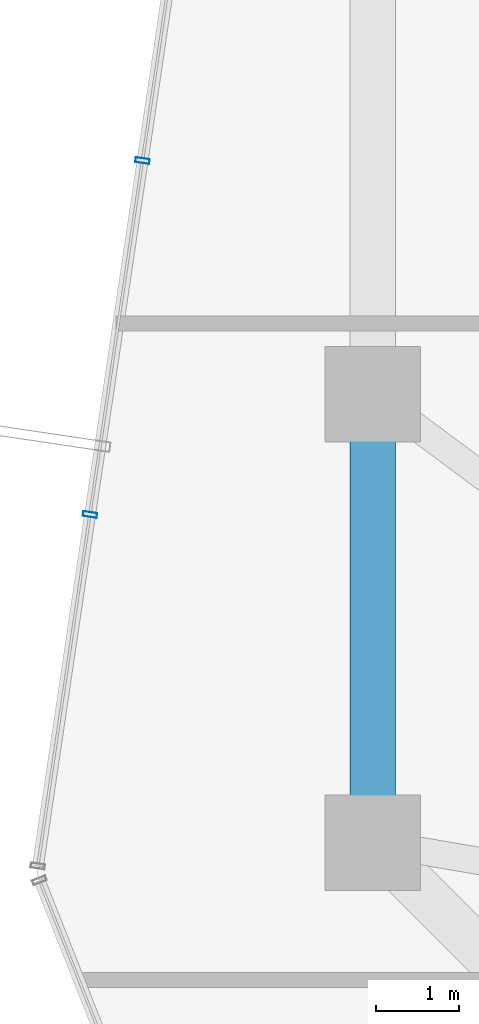
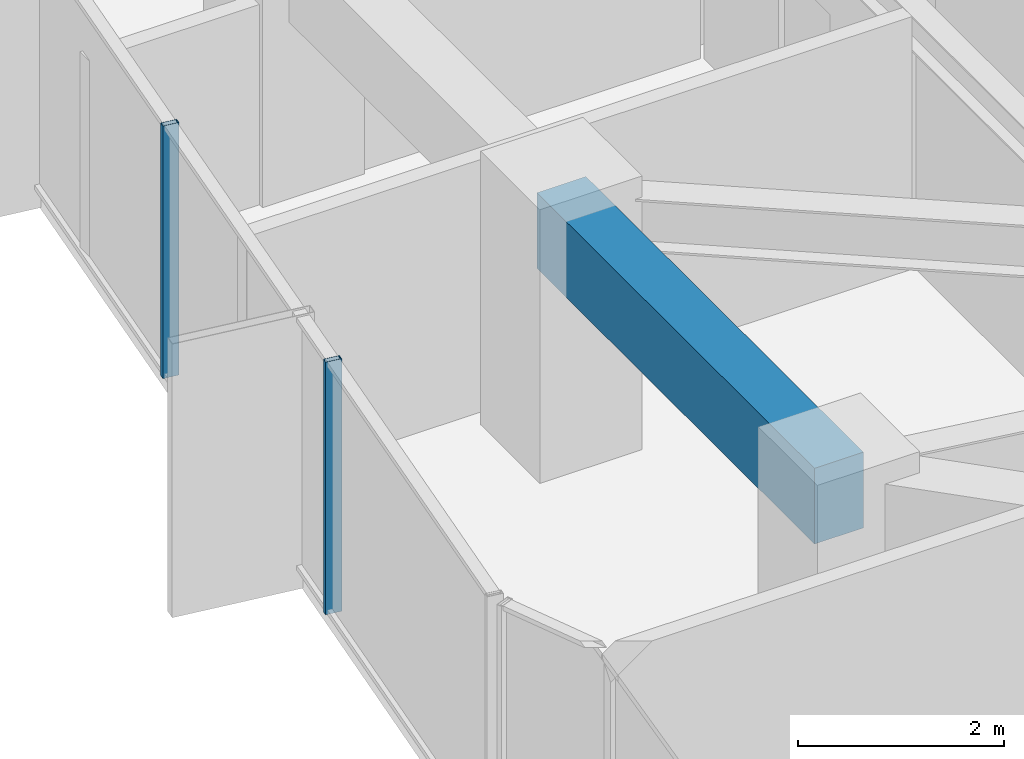
# One storey, part 10 of 29: 2 members, 1 beam, 1 element without a shape of its own.
"""IFC4 building model written with IfcOpenShell, lengths in metres."""

from ifc_helpers import new_model, si_unit, direction, frame, origin, origin_2d, place, context, subcontext, project, spatial, rectangle, hollow_rectangle, extrude, source, transform, mapped, material, layer, layer_set, material_profile, profile_set, type_object, element, aggregate, save


model = new_model("IFC4")

# Units and contexts
model_context = context("Model", 3, precision=1e-05, world=origin(), true_north=direction((0.0, 1.0)))
body_context = subcontext(model_context, "Body", "Model", "MODEL_VIEW")
ifc_project = project(units=[si_unit("LENGTHUNIT", "METRE"), si_unit("AREAUNIT", "SQUARE_METRE"), si_unit("VOLUMEUNIT", "CUBIC_METRE"), si_unit("PLANEANGLEUNIT", "RADIAN"), si_unit("MASSUNIT", "GRAM", prefix="KILO")], contexts=[model_context])

# Site, building, storey
site_placement = place(None, origin())
site = spatial("IfcSite", under=ifc_project, at=site_placement, CompositionType="ELEMENT")
building_placement = place(site_placement, origin())
building = spatial("IfcBuilding", under=site, at=building_placement, Name="Veraguas Prism Commons", CompositionType="ELEMENT")
storey_placement = place(building_placement, frame((0.0, 0.0, 99.199951171875)))
storey = spatial("IfcBuildingStorey", under=building, at=storey_placement, Name="L27", CompositionType="ELEMENT", Elevation=99.199951171875)

# Beam
ifc_material_1 = material(Name="Concrete C50/60", Category="concrete")
ifc_material_profile_1 = material_profile(ifc_material_1, rectangle(XDim=0.550048828125, YDim=0.89990234375, at=origin_2d()), Name="RC550X900")
ifc_profile_set_1 = profile_set([ifc_material_profile_1], Name="Concrete C50/60")
beam_type = type_object("IfcBeamType", Name="Perimeter Spandrel Lower RC 550x900", PredefinedType="SPANDREL", material=ifc_profile_set_1)
beam_placement = place(storey_placement, frame((7.800048828125, 24.0, 2.550048828125), z_axis=(0.0, -1.0, 0.0), x_axis=(1.0, 0.0, 0.0)))
element("IfcBeam", 1, at=beam_placement, inside=storey, type_object=beam_type, Name="Perimeter Spandrel Beam L27-SP08", PredefinedType="SPANDREL", context=body_context, shape_type="SweptSolid", body=[
    extrude(rectangle(XDim=0.550048828125, YDim=0.89990234375, at=origin_2d()), origin(), (0.0, 0.0, 1.0), 5.39990234375),
])

# Curtain wall, members
ifc_material_2 = material(Name="Anodised aluminium EN AW-6063 T6", Category="aluminium")
ifc_layer = layer(ifc_material_2, 0.169921875, Name="Unitised Flush Curtain Wall Zone 2", Category="aluminium")
ifc_layer_set = layer_set([ifc_layer], Name="Anodised aluminium EN AW-6063 T6")
curtain_wall_type = type_object("IfcCurtainWallType", Name="Unitised Flush Curtain Wall Zone 2", PredefinedType="NOTDEFINED", material=ifc_layer_set)
curtain_wall_placement = place(storey_placement, origin())
curtain_wall = element("IfcCurtainWall", 2, at=curtain_wall_placement, inside=storey, type_object=curtain_wall_type, Name="Tower Facade Curtain Wall L27-F3", PredefinedType="NOTDEFINED")
ifc_material_profile_2 = material_profile(ifc_material_2, hollow_rectangle(XDim=0.06005859375, YDim=0.169921875, WallThickness=0.00390625, at=origin_2d()), Name="AL60X170X4")
ifc_profile_set_2 = profile_set([ifc_material_profile_2], Name="Anodised aluminium EN AW-6063 T6")
member_type = type_object("IfcMemberType", Name="Curtain Wall Mullion Lower AL 60x170x4", PredefinedType="MULLION", material=ifc_profile_set_2)
shared_shape = source(origin(), body_context, "Body", "SweptSolid", [
    extrude(hollow_rectangle(XDim=0.06005859375, YDim=0.169921875, WallThickness=0.00390625, at=origin_2d()), origin(), (0.0, 0.0, 1.0), 3.0),
])
member_1_placement = place(storey_placement, frame((5.025390625, 26.8154296875, 0.0), z_axis=(0.0, 0.0, 1.0), x_axis=(-0.146777088137, -0.989169594356, 0.0)))
member_1 = element("IfcMember", 3, at=member_1_placement, type_object=member_type, Name="CW-Z2 Mullion 3", PredefinedType="MULLION", context=body_context, shape_type="MappedRepresentation", body=[
    mapped(shared_shape, transform((0.0, 0.0, 0.0), scale=1.0)),
])
member_2_placement = place(storey_placement, frame((4.392822265625, 22.5537109375, 0.0), z_axis=(0.0, 0.0, 1.0), x_axis=(-0.146777088137, -0.989169594356, 0.0)))
member_2 = element("IfcMember", 4, at=member_2_placement, type_object=member_type, Name="CW-Z2 Mullion 4", PredefinedType="MULLION", context=body_context, shape_type="MappedRepresentation", body=[
    mapped(shared_shape, transform((0.0, 0.0, 0.0), scale=1.0)),
])
aggregate(curtain_wall, [member_1, member_2])

save(model, "model.ifc")
